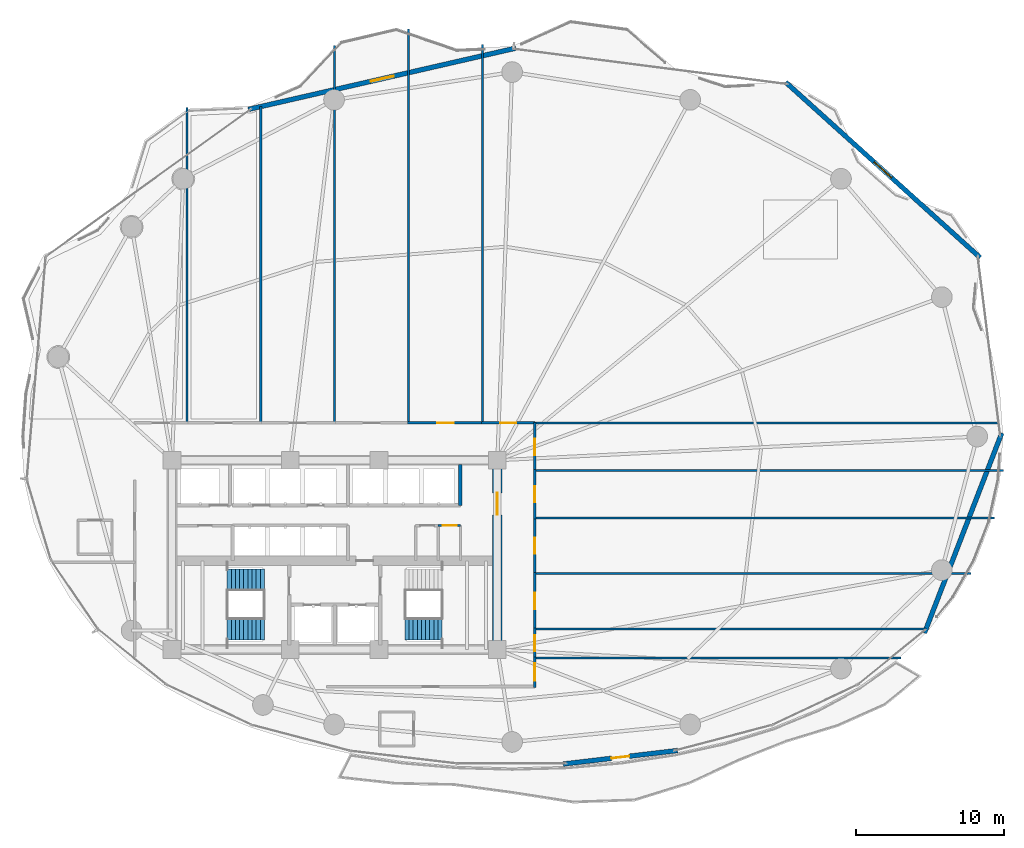
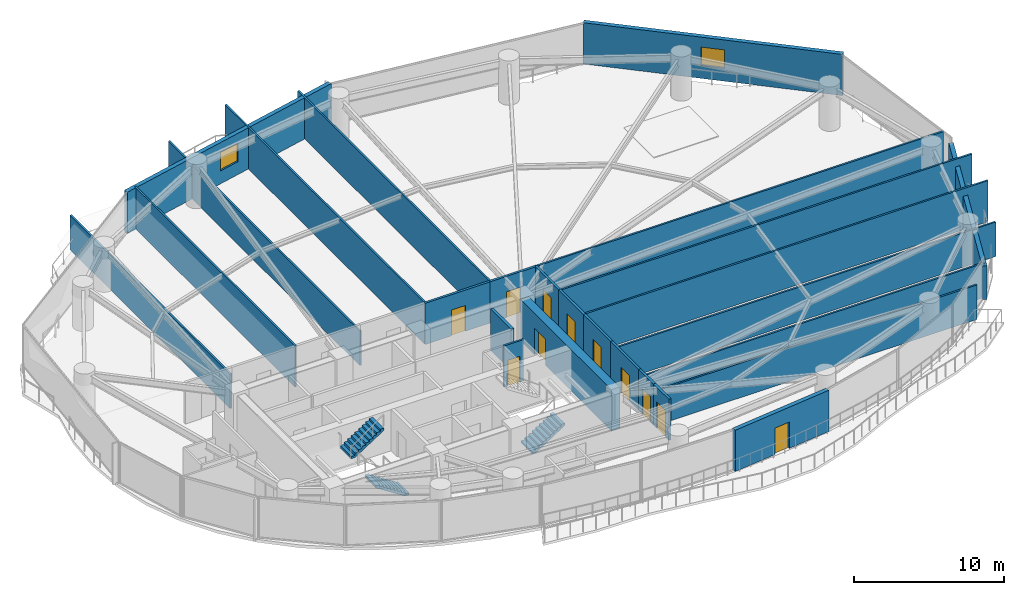
# One storey, part 26 of 30: 26 walls, 11 doors, 3 stair flights, 2 windows, 13 openings, 2 elements without a shape of their own.
"""IFC4 building model written with IfcOpenShell, lengths in metres."""

from ifc_helpers import new_model, si_unit, direction, frame, frame_2d, origin, place, context, subcontext, project, spatial, polyline, rectangle, outline, extrude, material, layer, layer_set, type_object, element, fill, aggregate, save


model = new_model("IFC4")

# Units and contexts
model_context = context("Model", 3, precision=1e-05, world=origin(), true_north=direction((0.0, 1.0)))
body_context = subcontext(model_context, "Body", "Model", "MODEL_VIEW")
ifc_project = project(units=[si_unit("LENGTHUNIT", "METRE"), si_unit("AREAUNIT", "SQUARE_METRE"), si_unit("VOLUMEUNIT", "CUBIC_METRE"), si_unit("PLANEANGLEUNIT", "RADIAN"), si_unit("MASSUNIT", "GRAM", prefix="KILO")], contexts=[model_context])

# Site, building, storey
site_placement = place(None, origin())
site = spatial("IfcSite", under=ifc_project, at=site_placement, CompositionType="ELEMENT")
building_placement = place(site_placement, origin())
building = spatial("IfcBuilding", under=site, at=building_placement, Name="Kazevale Care Tower and Concert Hall", CompositionType="ELEMENT")
storey_placement = place(building_placement, frame((0.0, 0.0, 70.800048828125)))
storey = spatial("IfcBuildingStorey", under=building, at=storey_placement, Name="L18", CompositionType="ELEMENT", Elevation=70.800048828125)

# Wall, opening, door
ifc_material_1 = material(Name="Acoustic Gypsum on Steel Stud", Category="steel")
ifc_layer_1 = layer(ifc_material_1, 0.139892578125)
ifc_layer_set_1 = layer_set([ifc_layer_1], Name="Acoustic Gypsum on Steel Stud")
wall_type_1 = type_object("IfcWallType", Name="Acoustic Care & Suite Partition 140", PredefinedType="PARTITIONING", material=ifc_layer_set_1)
wall_1_placement = place(storey_placement, frame((40.0, 31.97998046875, 0.0), z_axis=(0.0, 0.0, 1.0), x_axis=(1.0, 0.0, 0.0)))
wall_1 = element("IfcWall", 1, at=wall_1_placement, inside=storey, type_object=wall_type_1, Name="wall:L18:ka_en2", PredefinedType="PARTITIONING", context=body_context, shape_type="SweptSolid", body=[
    extrude(rectangle(XDim=1.52001953125, YDim=0.139892578125, at=frame_2d((0.760009765625, 0.0))), origin(), (0.0, 0.0, 1.0), 3.35986328125),
])
opening_1_placement = place(wall_1_placement, frame((0.320068359375, 0.0, 0.0)))
opening_1 = element("IfcOpeningElement", 2, at=opening_1_placement, cuts=wall_1, Name="Opening ID-900", PredefinedType="OPENING", context=body_context, shape_type="SweptSolid", body=[
    extrude(rectangle(XDim=0.919921875, YDim=2.10009765625, at=frame_2d((0.4599609375, 1.050048828125))), frame((0.0, 0.079833984375, 0.0), z_axis=(0.0, -1.0, 0.0), x_axis=(1.0, 0.0, 0.0)), (0.0, 0.0, 1.0), 0.159912109375),
])
ifc_material_2 = material(Name="Oak Timber Fire Leaf", Category="wood")
door_type_1 = type_object("IfcDoorType", Name="Bathroom & Service Door 920x2100", OperationType="NOTDEFINED", PredefinedType="DOOR", material=ifc_material_2)
door_1_placement = place(opening_1_placement, origin())
door_1 = element("IfcDoor", 3, at=door_1_placement, inside=storey, type_object=door_type_1, Name="door:L18:d_kae2", OperationType="SINGLE_SWING_RIGHT", OverallHeight=2.10009765625, OverallWidth=0.919921875, PredefinedType="DOOR", context=body_context, shape_type="SweptSolid", body=[
    extrude(rectangle(XDim=0.919921875, YDim=2.10009765625, at=frame_2d((0.4599609375, 1.050048828125))), frame((0.0, 0.02490234375, 0.0), z_axis=(0.0, -1.0, 0.0), x_axis=(1.0, 0.0, 0.0)), (0.0, 0.0, 1.0), 0.050048828125),
])
fill(opening_1, door_1)

# Walls
wall_2_placement = place(storey_placement, frame((23.0, 60.261962890625, 0.0), z_axis=(0.0, 0.0, 1.0), x_axis=(0.0, -1.0, 0.0)))
element("IfcWall", 4, at=wall_2_placement, inside=storey, type_object=wall_type_1, Name="wall:L18:auto_016", PredefinedType="PARTITIONING", context=body_context, shape_type="SweptSolid", body=[
    extrude(rectangle(XDim=21.366943359375, YDim=0.139892578125, at=frame_2d((10.68359375, 0.0))), origin(), (0.0, 0.0, 1.0), 2.805908203125),
])
wall_3_placement = place(storey_placement, frame((28.0, 60.3076171875, 0.0), z_axis=(0.0, 0.0, 1.0), x_axis=(0.0, -1.0, 0.0)))
element("IfcWall", 5, at=wall_3_placement, inside=storey, type_object=wall_type_1, Name="wall:L18:auto_017", PredefinedType="PARTITIONING", context=body_context, shape_type="SweptSolid", body=[
    extrude(rectangle(XDim=21.41259765625, YDim=0.139892578125, at=frame_2d((10.706298828125, 0.0))), origin(), (0.0, 0.0, 1.0), 3.35986328125),
])
wall_4_placement = place(storey_placement, frame((33.0, 64.4609375, 0.0), z_axis=(0.0, 0.0, 1.0), x_axis=(0.0, -1.0, 0.0)))
element("IfcWall", 6, at=wall_4_placement, inside=storey, type_object=wall_type_1, Name="wall:L18:auto_018", PredefinedType="PARTITIONING", context=body_context, shape_type="SweptSolid", body=[
    extrude(rectangle(XDim=25.56591796875, YDim=0.139892578125, at=frame_2d((12.782958984375, 0.0))), origin(), (0.0, 0.0, 1.0), 2.805908203125),
])
wall_5_placement = place(storey_placement, frame((38.0, 65.548095703125, 0.0), z_axis=(0.0, 0.0, 1.0), x_axis=(0.0, -1.0, 0.0)))
element("IfcWall", 7, at=wall_5_placement, inside=storey, type_object=wall_type_1, Name="wall:L18:auto_019", PredefinedType="PARTITIONING", context=body_context, shape_type="SweptSolid", body=[
    extrude(rectangle(XDim=26.653076171875, YDim=0.139892578125, at=frame_2d((13.32666015625, 0.0))), origin(), (0.0, 0.0, 1.0), 3.35986328125),
])
wall_6_placement = place(storey_placement, frame((43.0, 64.510986328125, 0.0), z_axis=(0.0, 0.0, 1.0), x_axis=(0.0, -1.0, 0.0)))
element("IfcWall", 8, at=wall_6_placement, inside=storey, type_object=wall_type_1, Name="wall:L18:auto_020", PredefinedType="PARTITIONING", context=body_context, shape_type="SweptSolid", body=[
    extrude(rectangle(XDim=25.615966796875, YDim=0.139892578125, at=frame_2d((12.80810546875, 0.0))), origin(), (0.0, 0.0, 1.0), 3.35986328125),
])
wall_7_placement = place(storey_placement, frame((77.89404296875, 38.925048828125, 0.0), z_axis=(0.0, 0.0, 1.0), x_axis=(-1.0, 0.0, 0.0)))
element("IfcWall", 9, at=wall_7_placement, inside=storey, type_object=wall_type_1, Name="wall:L18:auto_021", PredefinedType="PARTITIONING", context=body_context, shape_type="SweptSolid", body=[
    extrude(rectangle(XDim=31.43408203125, YDim=0.139892578125, at=frame_2d((15.717041015625, 0.0))), origin(), (0.0, 0.0, 1.0), 3.35986328125),
])
wall_8_placement = place(storey_placement, frame((46.4951171875, 23.0400390625, 0.0), z_axis=(0.0, 0.0, 1.0), x_axis=(1.0, 0.0, 0.0)))
element("IfcWall", 10, at=wall_8_placement, inside=storey, type_object=wall_type_1, Name="wall:L18:auto_022", PredefinedType="PARTITIONING", context=body_context, shape_type="SweptSolid", body=[
    extrude(rectangle(XDim=24.805908203125, YDim=0.139892578125, at=frame_2d((12.40283203125, 0.0))), origin(), (0.0, 0.0, 1.0), 2.805908203125),
])
wall_9_placement = place(storey_placement, frame((46.4951171875, 25.0, 0.0), z_axis=(0.0, 0.0, 1.0), x_axis=(1.0, 0.0, 0.0)))
element("IfcWall", 11, at=wall_9_placement, inside=storey, type_object=wall_type_1, Name="wall:L18:auto_023", PredefinedType="PARTITIONING", context=body_context, shape_type="SweptSolid", body=[
    extrude(rectangle(XDim=26.490478515625, YDim=0.139892578125, at=frame_2d((13.2451171875, 0.0))), origin(), (0.0, 0.0, 1.0), 2.805908203125),
])
wall_10_placement = place(storey_placement, frame((46.4951171875, 28.75, 0.0), z_axis=(0.0, 0.0, 1.0), x_axis=(1.0, 0.0, 0.0)))
element("IfcWall", 12, at=wall_10_placement, inside=storey, type_object=wall_type_1, Name="wall:L18:auto_024", PredefinedType="PARTITIONING", context=body_context, shape_type="SweptSolid", body=[
    extrude(rectangle(XDim=29.5478515625, YDim=0.139892578125, at=frame_2d((14.77392578125, 0.0))), origin(), (0.0, 0.0, 1.0), 2.805908203125),
])
wall_11_placement = place(storey_placement, frame((46.4951171875, 32.5, 0.0), z_axis=(0.0, 0.0, 1.0), x_axis=(1.0, 0.0, 0.0)))
element("IfcWall", 13, at=wall_11_placement, inside=storey, type_object=wall_type_1, Name="wall:L18:auto_025", PredefinedType="PARTITIONING", context=body_context, shape_type="SweptSolid", body=[
    extrude(rectangle(XDim=31.126953125, YDim=0.139892578125, at=frame_2d((15.5634765625, 0.0))), origin(), (0.0, 0.0, 1.0), 3.35986328125),
])
wall_12_placement = place(storey_placement, frame((46.4951171875, 35.7099609375, 0.0), z_axis=(0.0, 0.0, 1.0), x_axis=(1.0, 0.0, 0.0)))
element("IfcWall", 14, at=wall_12_placement, inside=storey, type_object=wall_type_1, Name="wall:L18:auto_026", PredefinedType="PARTITIONING", context=body_context, shape_type="SweptSolid", body=[
    extrude(rectangle(XDim=31.741943359375, YDim=0.139892578125, at=frame_2d((15.87109375, 0.0))), origin(), (0.0, 0.0, 1.0), 3.35986328125),
])

# Wall, opening, door
ifc_material_3 = material(Name="Concrete C70", Category="concrete")
ifc_layer_2 = layer(ifc_material_3, 0.64990234375)
ifc_layer_set_2 = layer_set([ifc_layer_2], Name="Concrete C70")
wall_type_2 = type_object("IfcWallType", Name="Core Shear Wall 650 C70", PredefinedType="SHEAR", material=ifc_layer_set_2)
wall_13_placement = place(storey_placement, frame((44.0, 23.925048828125, 0.0), z_axis=(0.0, 0.0, 1.0), x_axis=(0.0, 1.0, 0.0)))
wall_13 = element("IfcWall", 15, at=wall_13_placement, inside=storey, type_object=wall_type_2, Name="wall:L18:core:E", PredefinedType="SHEAR", context=body_context, shape_type="SweptSolid", body=[
    extrude(rectangle(XDim=12.14990234375, YDim=0.64990234375, at=frame_2d((6.074951171875, 0.0))), origin(), (0.0, 0.0, 1.0), 3.35986328125),
])
opening_2_placement = place(wall_13_placement, frame((8.77490234375, 0.0, 0.0)))
opening_2 = element("IfcOpeningElement", 16, at=opening_2_placement, cuts=wall_13, Name="Opening FD-60D", PredefinedType="OPENING", context=body_context, shape_type="SweptSolid", body=[
    extrude(rectangle(XDim=1.5, YDim=2.14990234375, at=frame_2d((0.75, 1.074951171875))), frame((0.0, 0.3349609375, 0.0), z_axis=(0.0, -1.0, 0.0), x_axis=(1.0, 0.0, 0.0)), (0.0, 0.0, 1.0), 0.669921875),
])
door_type_2 = type_object("IfcDoorType", Name="Double Lobby & Auditorium Fire Door 1500x2150", OperationType="NOTDEFINED", PredefinedType="DOOR", material=ifc_material_2)
door_2_placement = place(opening_2_placement, origin())
door_2 = element("IfcDoor", 17, at=door_2_placement, inside=storey, type_object=door_type_2, Name="door:L18:core_east_out", OperationType="DOUBLE_DOOR_SINGLE_SWING", OverallHeight=2.14990234375, OverallWidth=1.5, PredefinedType="DOOR", context=body_context, shape_type="SweptSolid", body=[
    extrude(rectangle(XDim=1.5, YDim=2.14990234375, at=frame_2d((0.75, 1.074951171875))), frame((0.0, 0.02490234375, 0.0), z_axis=(0.0, -1.0, 0.0), x_axis=(1.0, 0.0, 0.0)), (0.0, 0.0, 1.0), 0.050048828125),
])
fill(opening_2, door_2)

# Wall
ifc_material_4 = material(Name="Concrete C40", Category="concrete")
ifc_layer_3 = layer(ifc_material_4, 0.219970703125)
ifc_layer_set_3 = layer_set([ifc_layer_3], Name="Concrete C40")
wall_type_3 = type_object("IfcWallType", Name="Elevator Hoistway Shaft Wall 220", PredefinedType="SOLIDWALL", material=ifc_layer_set_3)
wall_14_placement = place(storey_placement, frame((41.5, 33.35009765625, 0.0), z_axis=(0.0, 0.0, 1.0), x_axis=(0.0, 1.0, 0.0)))
element("IfcWall", 18, at=wall_14_placement, inside=storey, type_object=wall_type_3, Name="wall:L18:c_pm_e", PredefinedType="SOLIDWALL", context=body_context, shape_type="SweptSolid", body=[
    extrude(rectangle(XDim=2.75, YDim=0.219970703125, at=frame_2d((1.375, 0.0))), origin(), (0.0, 0.0, 1.0), 3.35986328125),
])

# Wall, opening, door
ifc_material_5 = material(Name="Concrete C40 and Acoustic Gypsum", Category="concrete")
ifc_layer_4 = layer(ifc_material_5, 0.179931640625)
ifc_layer_set_4 = layer_set([ifc_layer_4], Name="Concrete C40 and Acoustic Gypsum")
wall_type_4 = type_object("IfcWallType", Name="Fire-Rated Corridor & Party Wall 180", PredefinedType="PARTITIONING", material=ifc_layer_set_4)
wall_15_placement = place(storey_placement, frame((37.93505859375, 38.925048828125, 0.0), z_axis=(0.0, 0.0, 1.0), x_axis=(1.0, 0.0, 0.0)))
wall_15 = element("IfcWall", 19, at=wall_15_placement, inside=storey, type_object=wall_type_4, Name="wall:L18:auto_005", PredefinedType="PARTITIONING", context=body_context, shape_type="SweptSolid", body=[
    extrude(rectangle(XDim=5.1298828125, YDim=0.179931640625, at=frame_2d((2.56494140625, 0.0))), origin(), (0.0, 0.0, 1.0), 3.35986328125),
])
opening_3_placement = place(wall_15_placement, frame((2.014892578125, 0.0, 0.0)))
opening_3 = element("IfcOpeningElement", 20, at=opening_3_placement, cuts=wall_15, Name="Opening ID-1100", PredefinedType="OPENING", context=body_context, shape_type="SweptSolid", body=[
    extrude(rectangle(XDim=1.10009765625, YDim=2.10009765625, at=frame_2d((0.550048828125, 1.050048828125))), frame((0.0, 0.099853515625, 0.0), z_axis=(0.0, -1.0, 0.0), x_axis=(1.0, 0.0, 0.0)), (0.0, 0.0, 1.0), 0.199951171875),
])
door_type_3 = type_object("IfcDoorType", Name="Care Bedroom Accessible Door 1100x2100", OperationType="NOTDEFINED", PredefinedType="DOOR", material=ifc_material_2)
door_3_placement = place(opening_3_placement, origin())
door_3 = element("IfcDoor", 21, at=door_3_placement, inside=storey, type_object=door_type_3, Name="door:L18:ad_005", OperationType="SINGLE_SWING_LEFT", OverallHeight=2.10009765625, OverallWidth=1.10009765625, PredefinedType="DOOR", context=body_context, shape_type="SweptSolid", body=[
    extrude(rectangle(XDim=1.10009765625, YDim=2.10009765625, at=frame_2d((0.550048828125, 1.050048828125))), frame((0.0, 0.02490234375, 0.0), z_axis=(0.0, -1.0, 0.0), x_axis=(1.0, 0.0, 0.0)), (0.0, 0.0, 1.0), 0.050048828125),
])
fill(opening_3, door_3)

wall_16_placement = place(storey_placement, frame((42.93505859375, 38.925048828125, 0.0), z_axis=(0.0, 0.0, 1.0), x_axis=(1.0, 0.0, 0.0)))
wall_16 = element("IfcWall", 22, at=wall_16_placement, inside=storey, type_object=wall_type_4, Name="wall:L18:auto_006", PredefinedType="PARTITIONING", context=body_context, shape_type="SweptSolid", body=[
    extrude(rectangle(XDim=3.619873046875, YDim=0.179931640625, at=frame_2d((1.81005859375, 0.0))), origin(), (0.0, 0.0, 1.0), 3.35986328125),
])
opening_4_placement = place(wall_16_placement, frame((1.260009765625, 0.0, 0.0)))
opening_4 = element("IfcOpeningElement", 23, at=opening_4_placement, cuts=wall_16, Name="Opening ID-1100", PredefinedType="OPENING", context=body_context, shape_type="SweptSolid", body=[
    extrude(rectangle(XDim=1.10009765625, YDim=2.10009765625, at=frame_2d((0.550048828125, 1.050048828125))), frame((0.0, 0.099853515625, 0.0), z_axis=(0.0, -1.0, 0.0), x_axis=(1.0, 0.0, 0.0)), (0.0, 0.0, 1.0), 0.199951171875),
])
door_4_placement = place(opening_4_placement, origin())
door_4 = element("IfcDoor", 24, at=door_4_placement, inside=storey, type_object=door_type_3, Name="door:L18:ad_006", OperationType="SINGLE_SWING_LEFT", OverallHeight=2.10009765625, OverallWidth=1.10009765625, PredefinedType="DOOR", context=body_context, shape_type="SweptSolid", body=[
    extrude(rectangle(XDim=1.10009765625, YDim=2.10009765625, at=frame_2d((0.550048828125, 1.050048828125))), frame((0.0, 0.02490234375, 0.0), z_axis=(0.0, -1.0, 0.0), x_axis=(1.0, 0.0, 0.0)), (0.0, 0.0, 1.0), 0.050048828125),
])
fill(opening_4, door_4)

wall_17_placement = place(storey_placement, frame((46.52490234375, 23.10498046875, 0.0), z_axis=(0.0, 0.0, 1.0), x_axis=(0.0, -1.0, 0.0)))
wall_17 = element("IfcWall", 25, at=wall_17_placement, inside=storey, type_object=wall_type_4, Name="wall:L18:auto_007", PredefinedType="PARTITIONING", context=body_context, shape_type="SweptSolid", body=[
    extrude(rectangle(XDim=2.06005859375, YDim=0.179931640625, at=frame_2d((1.030029296875, 0.0))), origin(), (0.0, 0.0, 1.0), 3.35986328125),
])
opening_5_placement = place(wall_17_placement, frame((0.429931640625, 0.0, 0.0)))
opening_5 = element("IfcOpeningElement", 26, at=opening_5_placement, cuts=wall_17, Name="Opening ID-1200", PredefinedType="OPENING", context=body_context, shape_type="SweptSolid", body=[
    extrude(rectangle(XDim=1.199951171875, YDim=2.14990234375, at=frame_2d((0.60009765625, 1.074951171875))), frame((0.0, 0.099853515625, 0.0), z_axis=(0.0, -1.0, 0.0), x_axis=(1.0, 0.0, 0.0)), (0.0, 0.0, 1.0), 0.199951171875),
])
door_type_4 = type_object("IfcDoorType", Name="Clinical & Therapy Door 1200x2150", OperationType="NOTDEFINED", PredefinedType="DOOR", material=ifc_material_2)
door_5_placement = place(opening_5_placement, origin())
door_5 = element("IfcDoor", 27, at=door_5_placement, inside=storey, type_object=door_type_4, Name="door:L18:ad_007", OperationType="SINGLE_SWING_LEFT", OverallHeight=2.14990234375, OverallWidth=1.199951171875, PredefinedType="DOOR", context=body_context, shape_type="SweptSolid", body=[
    extrude(rectangle(XDim=1.199951171875, YDim=2.14990234375, at=frame_2d((0.60009765625, 1.074951171875))), frame((0.0, 0.02490234375, 0.0), z_axis=(0.0, -1.0, 0.0), x_axis=(1.0, 0.0, 0.0)), (0.0, 0.0, 1.0), 0.050048828125),
])
fill(opening_5, door_5)

wall_18_placement = place(storey_placement, frame((46.52490234375, 25.06494140625, 0.0), z_axis=(0.0, 0.0, 1.0), x_axis=(0.0, -1.0, 0.0)))
wall_18 = element("IfcWall", 28, at=wall_18_placement, inside=storey, type_object=wall_type_4, Name="wall:L18:auto_008", PredefinedType="PARTITIONING", context=body_context, shape_type="SweptSolid", body=[
    extrude(rectangle(XDim=2.08984375, YDim=0.179931640625, at=frame_2d((1.044921875, 0.0))), origin(), (0.0, 0.0, 1.0), 3.35986328125),
])
opening_6_placement = place(wall_18_placement, frame((0.4951171875, 0.0, 0.0)))
opening_6 = element("IfcOpeningElement", 29, at=opening_6_placement, cuts=wall_18, Name="Opening ID-1100", PredefinedType="OPENING", context=body_context, shape_type="SweptSolid", body=[
    extrude(rectangle(XDim=1.10009765625, YDim=2.10009765625, at=frame_2d((0.550048828125, 1.050048828125))), frame((0.0, 0.099853515625, 0.0), z_axis=(0.0, -1.0, 0.0), x_axis=(1.0, 0.0, 0.0)), (0.0, 0.0, 1.0), 0.199951171875),
])
door_6_placement = place(opening_6_placement, origin())
door_6 = element("IfcDoor", 30, at=door_6_placement, inside=storey, type_object=door_type_3, Name="door:L18:ad_008", OperationType="SINGLE_SWING_LEFT", OverallHeight=2.10009765625, OverallWidth=1.10009765625, PredefinedType="DOOR", context=body_context, shape_type="SweptSolid", body=[
    extrude(rectangle(XDim=1.10009765625, YDim=2.10009765625, at=frame_2d((0.550048828125, 1.050048828125))), frame((0.0, 0.02490234375, 0.0), z_axis=(0.0, -1.0, 0.0), x_axis=(1.0, 0.0, 0.0)), (0.0, 0.0, 1.0), 0.050048828125),
])
fill(opening_6, door_6)

wall_19_placement = place(storey_placement, frame((46.52490234375, 28.81494140625, 0.0), z_axis=(0.0, 0.0, 1.0), x_axis=(0.0, -1.0, 0.0)))
wall_19 = element("IfcWall", 31, at=wall_19_placement, inside=storey, type_object=wall_type_4, Name="wall:L18:auto_009", PredefinedType="PARTITIONING", context=body_context, shape_type="SweptSolid", body=[
    extrude(rectangle(XDim=3.8798828125, YDim=0.179931640625, at=frame_2d((1.93994140625, 0.0))), origin(), (0.0, 0.0, 1.0), 3.35986328125),
])
opening_7_placement = place(wall_19_placement, frame((1.389892578125, 0.0, 0.0)))
opening_7 = element("IfcOpeningElement", 32, at=opening_7_placement, cuts=wall_19, Name="Opening ID-1100", PredefinedType="OPENING", context=body_context, shape_type="SweptSolid", body=[
    extrude(rectangle(XDim=1.10009765625, YDim=2.10009765625, at=frame_2d((0.550048828125, 1.050048828125))), frame((0.0, 0.099853515625, 0.0), z_axis=(0.0, -1.0, 0.0), x_axis=(1.0, 0.0, 0.0)), (0.0, 0.0, 1.0), 0.199951171875),
])
door_7_placement = place(opening_7_placement, origin())
door_7 = element("IfcDoor", 33, at=door_7_placement, inside=storey, type_object=door_type_3, Name="door:L18:ad_009", OperationType="SINGLE_SWING_LEFT", OverallHeight=2.10009765625, OverallWidth=1.10009765625, PredefinedType="DOOR", context=body_context, shape_type="SweptSolid", body=[
    extrude(rectangle(XDim=1.10009765625, YDim=2.10009765625, at=frame_2d((0.550048828125, 1.050048828125))), frame((0.0, 0.02490234375, 0.0), z_axis=(0.0, -1.0, 0.0), x_axis=(1.0, 0.0, 0.0)), (0.0, 0.0, 1.0), 0.050048828125),
])
fill(opening_7, door_7)

wall_20_placement = place(storey_placement, frame((46.52490234375, 32.56494140625, 0.0), z_axis=(0.0, 0.0, 1.0), x_axis=(0.0, -1.0, 0.0)))
wall_20 = element("IfcWall", 34, at=wall_20_placement, inside=storey, type_object=wall_type_4, Name="wall:L18:auto_010", PredefinedType="PARTITIONING", context=body_context, shape_type="SweptSolid", body=[
    extrude(rectangle(XDim=3.8798828125, YDim=0.179931640625, at=frame_2d((1.93994140625, 0.0))), origin(), (0.0, 0.0, 1.0), 3.35986328125),
])
opening_8_placement = place(wall_20_placement, frame((1.389892578125, 0.0, 0.0)))
opening_8 = element("IfcOpeningElement", 35, at=opening_8_placement, cuts=wall_20, Name="Opening ID-1100", PredefinedType="OPENING", context=body_context, shape_type="SweptSolid", body=[
    extrude(rectangle(XDim=1.10009765625, YDim=2.10009765625, at=frame_2d((0.550048828125, 1.050048828125))), frame((0.0, 0.099853515625, 0.0), z_axis=(0.0, -1.0, 0.0), x_axis=(1.0, 0.0, 0.0)), (0.0, 0.0, 1.0), 0.199951171875),
])
door_8_placement = place(opening_8_placement, origin())
door_8 = element("IfcDoor", 36, at=door_8_placement, inside=storey, type_object=door_type_3, Name="door:L18:ad_010", OperationType="SINGLE_SWING_LEFT", OverallHeight=2.10009765625, OverallWidth=1.10009765625, PredefinedType="DOOR", context=body_context, shape_type="SweptSolid", body=[
    extrude(rectangle(XDim=1.10009765625, YDim=2.10009765625, at=frame_2d((0.550048828125, 1.050048828125))), frame((0.0, 0.02490234375, 0.0), z_axis=(0.0, -1.0, 0.0), x_axis=(1.0, 0.0, 0.0)), (0.0, 0.0, 1.0), 0.050048828125),
])
fill(opening_8, door_8)

wall_21_placement = place(storey_placement, frame((46.52490234375, 35.77490234375, 0.0), z_axis=(0.0, 0.0, 1.0), x_axis=(0.0, -1.0, 0.0)))
wall_21 = element("IfcWall", 37, at=wall_21_placement, inside=storey, type_object=wall_type_4, Name="wall:L18:auto_011", PredefinedType="PARTITIONING", context=body_context, shape_type="SweptSolid", body=[
    extrude(rectangle(XDim=3.33984375, YDim=0.179931640625, at=frame_2d((1.669921875, 0.0))), origin(), (0.0, 0.0, 1.0), 3.35986328125),
])
opening_9_placement = place(wall_21_placement, frame((1.1201171875, 0.0, 0.0)))
opening_9 = element("IfcOpeningElement", 38, at=opening_9_placement, cuts=wall_21, Name="Opening ID-1100", PredefinedType="OPENING", context=body_context, shape_type="SweptSolid", body=[
    extrude(rectangle(XDim=1.10009765625, YDim=2.10009765625, at=frame_2d((0.550048828125, 1.050048828125))), frame((0.0, 0.099853515625, 0.0), z_axis=(0.0, -1.0, 0.0), x_axis=(1.0, 0.0, 0.0)), (0.0, 0.0, 1.0), 0.199951171875),
])
door_9_placement = place(opening_9_placement, origin())
door_9 = element("IfcDoor", 39, at=door_9_placement, inside=storey, type_object=door_type_3, Name="door:L18:ad_011", OperationType="SINGLE_SWING_LEFT", OverallHeight=2.10009765625, OverallWidth=1.10009765625, PredefinedType="DOOR", context=body_context, shape_type="SweptSolid", body=[
    extrude(rectangle(XDim=1.10009765625, YDim=2.10009765625, at=frame_2d((0.550048828125, 1.050048828125))), frame((0.0, 0.02490234375, 0.0), z_axis=(0.0, -1.0, 0.0), x_axis=(1.0, 0.0, 0.0)), (0.0, 0.0, 1.0), 0.050048828125),
])
fill(opening_9, door_9)

wall_22_placement = place(storey_placement, frame((46.52490234375, 38.955078125, 0.0), z_axis=(0.0, 0.0, 1.0), x_axis=(0.0, -1.0, 0.0)))
wall_22 = element("IfcWall", 40, at=wall_22_placement, inside=storey, type_object=wall_type_4, Name="wall:L18:auto_012", PredefinedType="PARTITIONING", context=body_context, shape_type="SweptSolid", body=[
    extrude(rectangle(XDim=3.31005859375, YDim=0.179931640625, at=frame_2d((1.655029296875, 0.0))), origin(), (0.0, 0.0, 1.0), 3.35986328125),
])
opening_10_placement = place(wall_22_placement, frame((1.10498046875, 0.0, 0.0)))
opening_10 = element("IfcOpeningElement", 41, at=opening_10_placement, cuts=wall_22, Name="Opening ID-1100", PredefinedType="OPENING", context=body_context, shape_type="SweptSolid", body=[
    extrude(rectangle(XDim=1.10009765625, YDim=2.10009765625, at=frame_2d((0.550048828125, 1.050048828125))), frame((0.0, 0.099853515625, 0.0), z_axis=(0.0, -1.0, 0.0), x_axis=(1.0, 0.0, 0.0)), (0.0, 0.0, 1.0), 0.199951171875),
])
door_10_placement = place(opening_10_placement, origin())
door_10 = element("IfcDoor", 42, at=door_10_placement, inside=storey, type_object=door_type_3, Name="door:L18:ad_012", OperationType="SINGLE_SWING_LEFT", OverallHeight=2.10009765625, OverallWidth=1.10009765625, PredefinedType="DOOR", context=body_context, shape_type="SweptSolid", body=[
    extrude(rectangle(XDim=1.10009765625, YDim=2.10009765625, at=frame_2d((0.550048828125, 1.050048828125))), frame((0.0, 0.02490234375, 0.0), z_axis=(0.0, -1.0, 0.0), x_axis=(1.0, 0.0, 0.0)), (0.0, 0.0, 1.0), 0.050048828125),
])
fill(opening_10, door_10)

# Wall
ifc_material_6 = material(Name="Concrete C40 with Honed Limestone Cladding", Category="masonry")
ifc_layer_5 = layer(ifc_material_6, 0.320068359375)
ifc_layer_set_5 = layer_set([ifc_layer_5], Name="Concrete C40 with Honed Limestone Cladding")
wall_type_5 = type_object("IfcWallType", Name="Tower Honed Limestone Spandrel Wall 320", PredefinedType="STANDARD", material=ifc_layer_set_5)
wall_23_placement = place(storey_placement, frame((78.114013671875, 38.242919921875, 0.0), z_axis=(0.0, 0.0, 1.0), x_axis=(-0.360517110943, -0.932752599952, 0.0)))
element("IfcWall", 43, at=wall_23_placement, inside=storey, type_object=wall_type_5, Name="wall:cw:L18:f01", PredefinedType="STANDARD", context=body_context, shape_type="SweptSolid", body=[
    extrude(rectangle(XDim=14.504150390625, YDim=0.320068359375, at=frame_2d((7.251953125, 0.0))), origin(), (0.0, 0.0, 1.0), 2.738037109375),
])

# Wall, opening, door
wall_24_placement = place(storey_placement, frame((56.18994140625, 16.77197265625, 0.0), z_axis=(0.0, 0.0, 1.0), x_axis=(-0.993056646691, -0.117637138959, 0.0)))
wall_24 = element("IfcWall", 44, at=wall_24_placement, inside=storey, type_object=wall_type_5, Name="wall:L18:bal_host", PredefinedType="STANDARD", context=body_context, shape_type="SweptSolid", body=[
    extrude(rectangle(XDim=7.795166015625, YDim=0.320068359375, at=frame_2d((3.8974609375, 0.0))), origin(), (0.0, 0.0, 1.0), 3.35986328125),
])
opening_11_placement = place(wall_24_placement, frame((3.298095703125, 0.0, 0.0)))
opening_11 = element("IfcOpeningElement", 45, at=opening_11_placement, cuts=wall_24, Name="Opening BD-1200", PredefinedType="OPENING", context=body_context, shape_type="SweptSolid", body=[
    extrude(rectangle(XDim=1.199951171875, YDim=2.14990234375, at=frame_2d((0.60009765625, 1.074951171875))), frame((0.0, 0.169921875, 0.0), z_axis=(0.0, -1.0, 0.0), x_axis=(1.0, 0.0, 0.0)), (0.0, 0.0, 1.0), 0.340087890625),
])
ifc_material_7 = material(Name="Aluminium 6063-T6 and Low-E Glass", Category="aluminium")
door_type_5 = type_object("IfcDoorType", Name="Sheltered Balcony Glazed Door 1200x2150", OperationType="NOTDEFINED", PredefinedType="DOOR", material=ifc_material_7)
door_11_placement = place(opening_11_placement, origin())
door_11 = element("IfcDoor", 46, at=door_11_placement, inside=storey, type_object=door_type_5, Name="door:L18:BD-1", OperationType="SINGLE_SWING_LEFT", OverallHeight=2.14990234375, OverallWidth=1.199951171875, PredefinedType="DOOR", context=body_context, shape_type="SweptSolid", body=[
    extrude(rectangle(XDim=1.199951171875, YDim=2.14990234375, at=frame_2d((0.60009765625, 1.074951171875))), frame((0.0, 0.02490234375, 0.0), z_axis=(0.0, -1.0, 0.0), x_axis=(1.0, 0.0, 0.0)), (0.0, 0.0, 1.0), 0.050048828125),
])
fill(opening_11, door_11)

# Wall, opening, window
wall_25_placement = place(storey_placement, frame((27.1640625, 60.1259765625, 0.0), z_axis=(0.0, 0.0, 1.0), x_axis=(0.974744906433, 0.22332122018, 0.0)))
wall_25 = element("IfcWall", 47, at=wall_25_placement, inside=storey, type_object=wall_type_5, Name="wall:L18:cbox:15", PredefinedType="STANDARD", context=body_context, shape_type="SweptSolid", body=[
    extrude(rectangle(XDim=18.560791015625, YDim=0.320068359375, at=frame_2d((9.2802734375, 0.0))), origin(), (0.0, 0.0, 1.0), 3.35986328125),
])
opening_12_placement = place(wall_25_placement, frame((8.48095703125, 0.0, 1.050048828125)))
opening_12 = element("IfcOpeningElement", 48, at=opening_12_placement, cuts=wall_25, Name="Opening WIN-1", PredefinedType="OPENING", context=body_context, shape_type="SweptSolid", body=[
    extrude(rectangle(XDim=1.60009765625, YDim=1.5, at=frame_2d((0.800048828125, 0.75))), frame((0.0, 0.169921875, 0.0), z_axis=(0.0, -1.0, 0.0), x_axis=(1.0, 0.0, 0.0)), (0.0, 0.0, 1.0), 0.340087890625),
])
ifc_material_8 = material(Name="Low-E Laminated Glass", Category="glass")
window_type = type_object("IfcWindowType", Name="Convex Box Deep-Set Window 1600x1500", PartitioningType="DOUBLE_PANEL_VERTICAL", PredefinedType="WINDOW", material=ifc_material_8)
window_1_placement = place(opening_12_placement, origin())
window_1 = element("IfcWindow", 49, at=window_1_placement, inside=storey, type_object=window_type, Name="win:L18:cbox:15", OverallHeight=1.5, OverallWidth=1.60009765625, PartitioningType="SINGLE_PANEL", PredefinedType="WINDOW", context=body_context, shape_type="SweptSolid", body=[
    extrude(rectangle(XDim=1.60009765625, YDim=1.5, at=frame_2d((0.800048828125, 0.75))), frame((0.0, 0.030029296875, 0.0), z_axis=(0.0, -1.0, 0.0), x_axis=(1.0, 0.0, 0.0)), (0.0, 0.0, 1.0), 0.06005859375),
])
fill(opening_12, window_1)

wall_26_placement = place(storey_placement, frame((63.493896484375, 61.968994140625, 0.0), z_axis=(0.0, 0.0, 1.0), x_axis=(0.7425569544, -0.669782927128, 0.0)))
wall_26 = element("IfcWall", 50, at=wall_26_placement, inside=storey, type_object=wall_type_5, Name="wall:L18:cbox:17", PredefinedType="STANDARD", context=body_context, shape_type="SweptSolid", body=[
    extrude(rectangle(XDim=17.713134765625, YDim=0.320068359375, at=frame_2d((8.8564453125, 0.0))), origin(), (0.0, 0.0, 1.0), 3.35986328125),
])
opening_13_placement = place(wall_26_placement, frame((8.056884765625, 0.0, 1.050048828125)))
opening_13 = element("IfcOpeningElement", 51, at=opening_13_placement, cuts=wall_26, Name="Opening WIN-1", PredefinedType="OPENING", context=body_context, shape_type="SweptSolid", body=[
    extrude(rectangle(XDim=1.60009765625, YDim=1.5, at=frame_2d((0.800048828125, 0.75))), frame((0.0, 0.169921875, 0.0), z_axis=(0.0, -1.0, 0.0), x_axis=(1.0, 0.0, 0.0)), (0.0, 0.0, 1.0), 0.340087890625),
])
window_2_placement = place(opening_13_placement, origin())
window_2 = element("IfcWindow", 52, at=window_2_placement, inside=storey, type_object=window_type, Name="win:L18:cbox:17", OverallHeight=1.5, OverallWidth=1.60009765625, PartitioningType="SINGLE_PANEL", PredefinedType="WINDOW", context=body_context, shape_type="SweptSolid", body=[
    extrude(rectangle(XDim=1.60009765625, YDim=1.5, at=frame_2d((0.800048828125, 0.75))), frame((0.0, 0.030029296875, 0.0), z_axis=(0.0, -1.0, 0.0), x_axis=(1.0, 0.0, 0.0)), (0.0, 0.0, 1.0), 0.06005859375),
])
fill(opening_13, window_2)

# Stair, stair flights
stair_type = type_object("IfcStairType", Name="Exit Stair Assembly ST1-Z1", PredefinedType="HALF_TURN_STAIR", material=ifc_material_4)
stair_1_placement = place(storey_placement, origin())
stair_1 = element("IfcStair", 53, at=stair_1_placement, inside=storey, type_object=stair_type, Name="stair:L18:ST1", PredefinedType="HALF_TURN_STAIR")
ifc_layer_6 = layer(ifc_material_4, 0.159912109375)
ifc_layer_set_6 = layer_set([ifc_layer_6], Name="Concrete C40")
stair_flight_type = type_object("IfcStairFlightType", Name="Exit Stair Flight ST1-Z1", PredefinedType="STRAIGHT", material=ifc_layer_set_6)
stair_flight_1_placement = place(storey_placement, frame((28.25, 24.989990234375, 0.0), z_axis=(0.0, 0.0, 1.0), x_axis=(-1.0, 0.0, 0.0)))
stair_flight_1 = element("IfcStairFlight", 54, at=stair_flight_1_placement, type_object=stair_flight_type, Name="ST1-Z1 flight 1", NumberOfRisers=10, NumberOfTreads=9, PredefinedType="STRAIGHT", RiserHeight=0.18, TreadLength=0.28, context=body_context, shape_type="SweptSolid", body=[
    extrude(outline(polyline([(0.0, 0.0), (0.0, 0.179931640625), (0.280029296875, 0.179931640625), (0.280029296875, 0.360107421875), (0.56005859375, 0.360107421875), (0.56005859375, 0.5400390625), (0.840087890625, 0.5400390625), (0.840087890625, 0.719970703125), (1.1201171875, 0.719970703125), (1.1201171875, 0.89990234375), (1.39990234375, 0.89990234375), (1.39990234375, 1.080078125), (1.679931640625, 1.080078125), (1.679931640625, 1.260009765625), (1.9599609375, 1.260009765625), (1.9599609375, 1.43994140625), (2.239990234375, 1.43994140625), (2.239990234375, 1.6201171875), (2.52001953125, 1.6201171875), (2.52001953125, 1.800048828125), (2.52001953125, 1.429931640625), (0.295654296875, 0.0), (0.0, 0.0)])), frame((0.0, 0.739990234375, 0.0), z_axis=(0.0, -1.0, 0.0), x_axis=(1.0, 0.0, 0.0)), (0.0, 0.0, 1.0), 1.47998046875),
])
stair_flight_2_placement = place(storey_placement, frame((25.72998046875, 28.31005859375, 1.800048828125), z_axis=(0.0, 0.0, 1.0), x_axis=(1.0, 0.0, 0.0)))
stair_flight_2 = element("IfcStairFlight", 55, at=stair_flight_2_placement, type_object=stair_flight_type, Name="ST1-Z1 flight 2", NumberOfRisers=10, NumberOfTreads=9, PredefinedType="STRAIGHT", RiserHeight=0.18, TreadLength=0.28, context=body_context, shape_type="SweptSolid", body=[
    extrude(outline(polyline([(0.0, 0.0), (0.0, 0.179931640625), (0.280029296875, 0.179931640625), (0.280029296875, 0.360107421875), (0.56005859375, 0.360107421875), (0.56005859375, 0.5400390625), (0.840087890625, 0.5400390625), (0.840087890625, 0.719970703125), (1.1201171875, 0.719970703125), (1.1201171875, 0.89990234375), (1.39990234375, 0.89990234375), (1.39990234375, 1.080078125), (1.679931640625, 1.080078125), (1.679931640625, 1.260009765625), (1.9599609375, 1.260009765625), (1.9599609375, 1.43994140625), (2.239990234375, 1.43994140625), (2.239990234375, 1.6201171875), (2.52001953125, 1.6201171875), (2.52001953125, 1.800048828125), (2.52001953125, 1.429931640625), (0.295654296875, 0.0), (0.0, 0.0)])), frame((0.0, 0.739990234375, 0.0), z_axis=(0.0, -1.0, 0.0), x_axis=(1.0, 0.0, 0.0)), (0.0, 0.0, 1.0), 1.47998046875),
])
aggregate(stair_1, [stair_flight_1, stair_flight_2])

# Stair, stair flight
stair_2_placement = place(storey_placement, origin())
stair_2 = element("IfcStair", 56, at=stair_2_placement, inside=storey, type_object=stair_type, Name="stair:L18:ST2", PredefinedType="HALF_TURN_STAIR")
stair_flight_3_placement = place(storey_placement, frame((37.75, 24.989990234375, 0.0), z_axis=(0.0, 0.0, 1.0), x_axis=(1.0, 0.0, 0.0)))
stair_flight_3 = element("IfcStairFlight", 57, at=stair_flight_3_placement, type_object=stair_flight_type, Name="ST1-Z1 flight 1", NumberOfRisers=10, NumberOfTreads=9, PredefinedType="STRAIGHT", RiserHeight=0.18, TreadLength=0.28, context=body_context, shape_type="SweptSolid", body=[
    extrude(outline(polyline([(0.0, 0.0), (0.0, 0.179931640625), (0.280029296875, 0.179931640625), (0.280029296875, 0.360107421875), (0.56005859375, 0.360107421875), (0.56005859375, 0.5400390625), (0.840087890625, 0.5400390625), (0.840087890625, 0.719970703125), (1.1201171875, 0.719970703125), (1.1201171875, 0.89990234375), (1.39990234375, 0.89990234375), (1.39990234375, 1.080078125), (1.679931640625, 1.080078125), (1.679931640625, 1.260009765625), (1.9599609375, 1.260009765625), (1.9599609375, 1.43994140625), (2.239990234375, 1.43994140625), (2.239990234375, 1.6201171875), (2.52001953125, 1.6201171875), (2.52001953125, 1.800048828125), (2.52001953125, 1.429931640625), (0.295654296875, 0.0), (0.0, 0.0)])), frame((0.0, 0.739990234375, 0.0), z_axis=(0.0, -1.0, 0.0), x_axis=(1.0, 0.0, 0.0)), (0.0, 0.0, 1.0), 1.47998046875),
])
aggregate(stair_2, [stair_flight_3])

save(model, "model.ifc")
